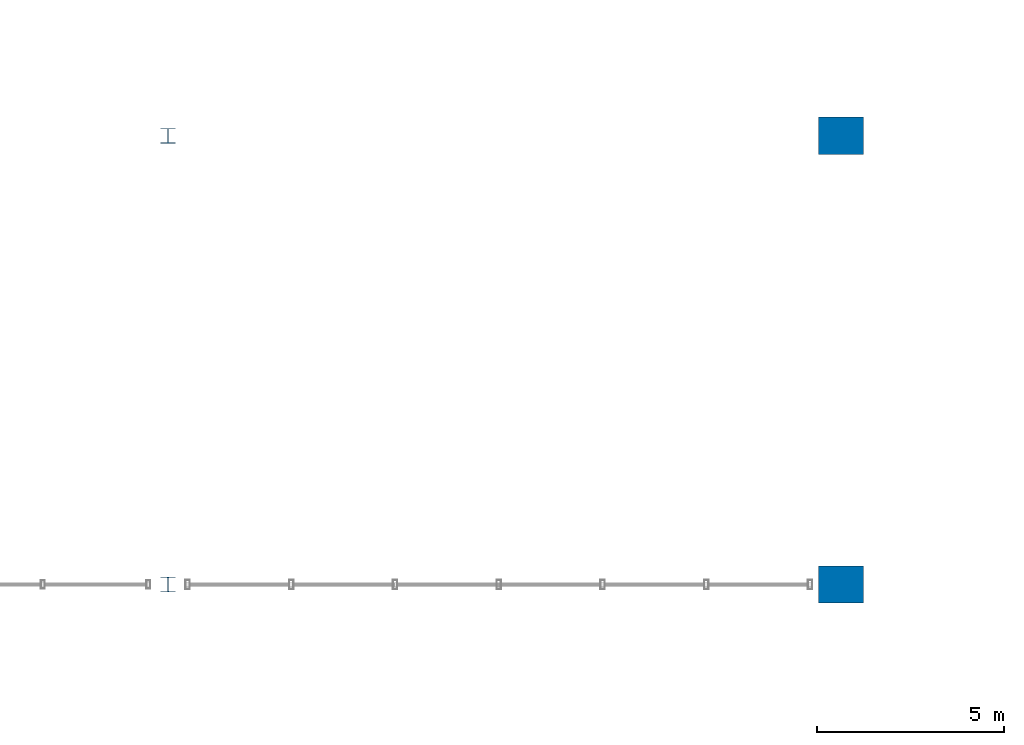
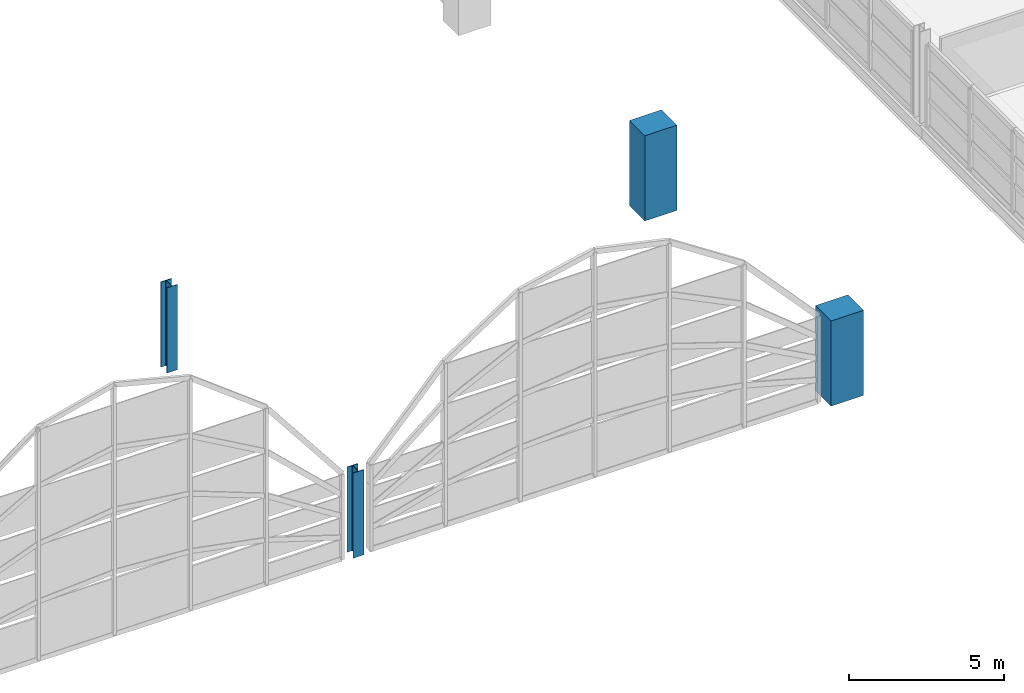
# One storey, part 2 of 116: 4 columns.
"""IFC4 building model written with IfcOpenShell, lengths in metres."""

from ifc_helpers import new_model, si_unit, direction, frame, origin, origin_2d, place, context, subcontext, project, spatial, rectangle, i_section, extrude, material, material_profile, profile_set, type_object, element, save


model = new_model("IFC4")

# Units and contexts
model_context = context("Model", 3, precision=1e-05, world=origin(), true_north=direction((0.0, 1.0)))
body_context = subcontext(model_context, "Body", "Model", "MODEL_VIEW")
ifc_project = project(units=[si_unit("LENGTHUNIT", "METRE"), si_unit("AREAUNIT", "SQUARE_METRE"), si_unit("VOLUMEUNIT", "CUBIC_METRE"), si_unit("PLANEANGLEUNIT", "RADIAN"), si_unit("MASSUNIT", "GRAM", prefix="KILO")], contexts=[model_context])

# Site, building, storey
site_placement = place(None, origin())
site = spatial("IfcSite", under=ifc_project, at=site_placement, CompositionType="ELEMENT")
building_placement = place(site_placement, origin())
building = spatial("IfcBuilding", under=site, at=building_placement, Name="Chuanluo Vaults Station", CompositionType="ELEMENT")
storey_placement = place(building_placement, frame((0.0, 0.0, 10.800048828125)))
storey = spatial("IfcBuildingStorey", under=building, at=storey_placement, Name="L02", CompositionType="ELEMENT", Elevation=10.800048828125)

# Columns
ifc_material_1 = material(Name="Concrete C50", Category="concrete")
ifc_material_profile_1 = material_profile(ifc_material_1, rectangle(XDim=1.199951171875, YDim=1.0, at=origin_2d()))
ifc_profile_set_1 = profile_set([ifc_material_profile_1], Name="Concrete C50")
column_type_1 = type_object("IfcColumnType", Name="COL-SRC-1200x1000", PredefinedType="COLUMN", material=ifc_profile_set_1)
for number, where, z_axis, x_axis, name in (
    (1, (126.0, 18.0, 0.0), (0.0, 0.0, 1.0), (1.0, 0.0, 0.0), "Column L02-073"),
    (2, (126.0, 30.0, 0.0), (0.0, 0.0, 1.0), (1.0, 0.0, 0.0), "Column L02-074"),
):
    element("IfcColumn", number, at=place(storey_placement, frame(where, z_axis=z_axis, x_axis=x_axis)), inside=storey, type_object=column_type_1, Name=name, PredefinedType="COLUMN", context=body_context, shape_type="SweptSolid", body=[
        extrude(rectangle(XDim=1.199951171875, YDim=1.0, at=origin_2d()), origin(), (0.0, 0.0, 1.0), 3.349853515625),
    ])
ifc_material_2 = material(Name="Steel Q355C", Category="steel")
ifc_material_profile_2 = material_profile(ifc_material_2, i_section(OverallWidth=0.39990234375, OverallDepth=0.407958984375, WebThickness=0.02099609375, FlangeThickness=0.02099609375, FilletRadius=0.02197265625, at=origin_2d()))
ifc_profile_set_2 = profile_set([ifc_material_profile_2], Name="Steel Q355C")
column_type_2 = type_object("IfcColumnType", Name="COL-STL-HW408", PredefinedType="COLUMN", material=ifc_profile_set_2)
for number, where, z_axis, x_axis, name in (
    (3, (108.0, 18.0, 0.0), (0.0, 0.0, 1.0), (1.0, 0.0, 0.0), "Column L02-062"),
    (4, (108.0, 30.0, 0.0), (0.0, 0.0, 1.0), (1.0, 0.0, 0.0), "Column L02-063"),
):
    element("IfcColumn", number, at=place(storey_placement, frame(where, z_axis=z_axis, x_axis=x_axis)), inside=storey, type_object=column_type_2, Name=name, PredefinedType="COLUMN", context=body_context, shape_type="SweptSolid", body=[
        extrude(i_section(OverallWidth=0.39990234375, OverallDepth=0.407958984375, WebThickness=0.02099609375, FlangeThickness=0.02099609375, FilletRadius=0.02197265625, at=origin_2d()), origin(), (0.0, 0.0, 1.0), 3.349853515625),
    ])

save(model, "model.ifc")
